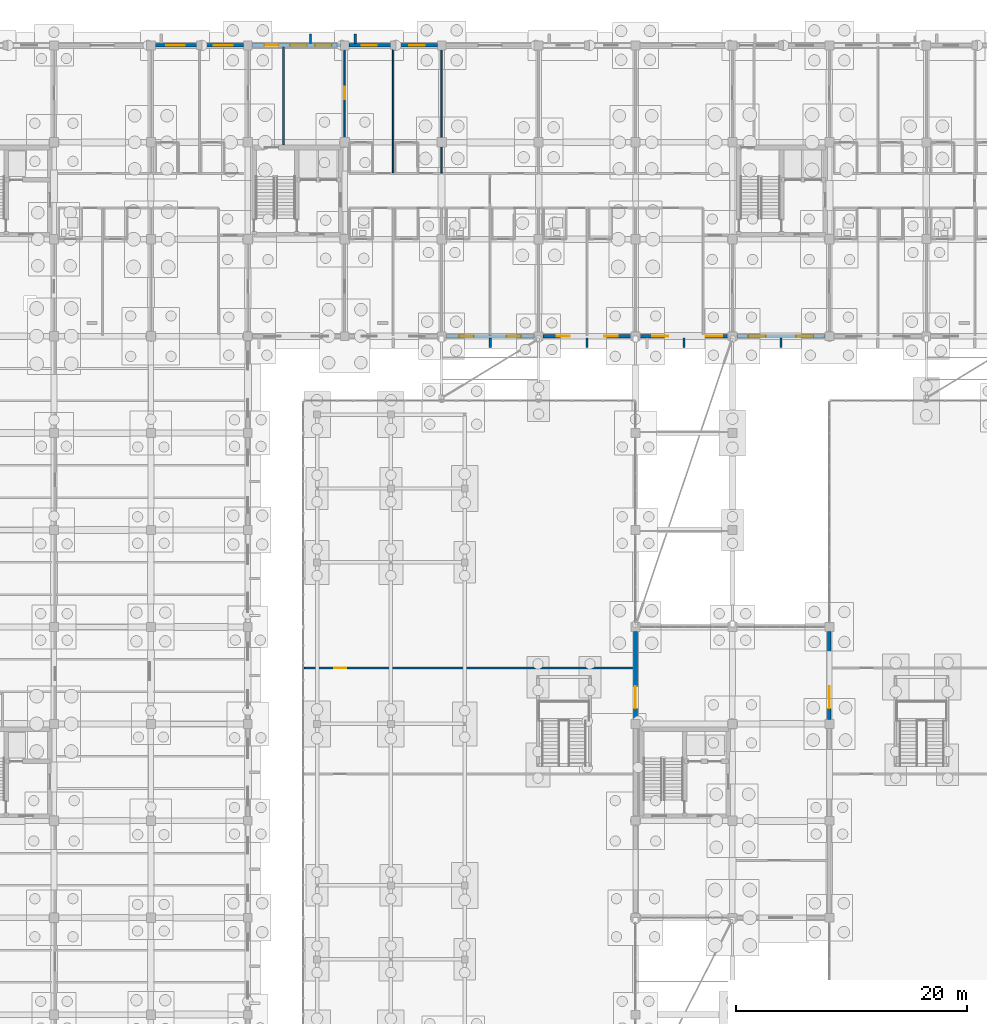
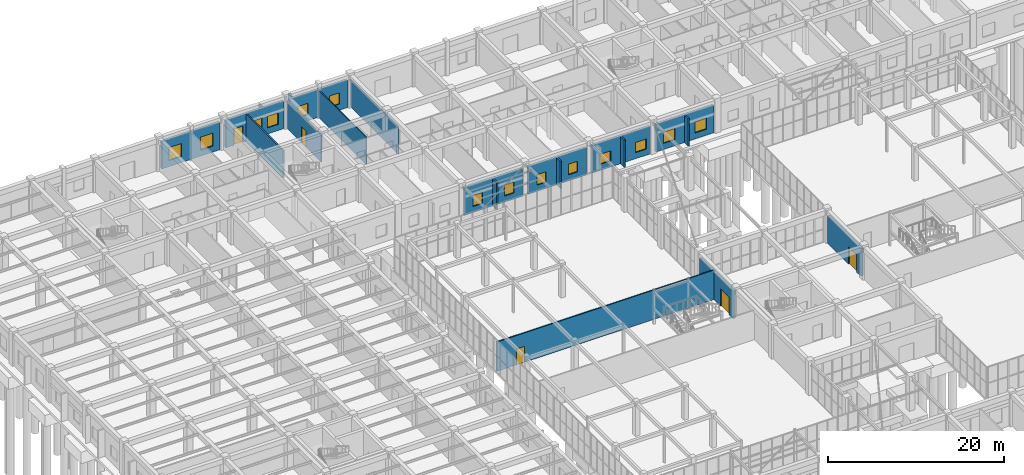
# One storey, part 164 of 192: 20 walls, 14 windows, 5 doors, 19 openings.
"""IFC4 building model written with IfcOpenShell, lengths in metres."""

from ifc_helpers import new_model, si_unit, direction, frame, frame_2d, origin, place, context, subcontext, project, spatial, rectangle, extrude, material, layer, layer_set, type_object, element, fill, save


model = new_model("IFC4")

# Units and contexts
model_context = context("Model", 3, precision=1e-05, world=origin(), true_north=direction((0.0, 1.0)))
body_context = subcontext(model_context, "Body", "Model", "MODEL_VIEW")
ifc_project = project(units=[si_unit("LENGTHUNIT", "METRE"), si_unit("AREAUNIT", "SQUARE_METRE"), si_unit("VOLUMEUNIT", "CUBIC_METRE"), si_unit("PLANEANGLEUNIT", "RADIAN"), si_unit("MASSUNIT", "GRAM", prefix="KILO")], contexts=[model_context])

# Site, building, storey
site_placement = place(None, origin())
site = spatial("IfcSite", under=ifc_project, at=site_placement, CompositionType="ELEMENT")
building_placement = place(site_placement, origin())
building = spatial("IfcBuilding", under=site, at=building_placement, Name="Trelvath General Hospital", CompositionType="ELEMENT")
storey_placement = place(building_placement, origin())
storey = spatial("IfcBuildingStorey", under=building, at=storey_placement, Name="L00", CompositionType="ELEMENT", Elevation=0.0)

# Walls
ifc_material_1 = material(Name="Precast concrete C40/50", Category="concrete")
ifc_layer_1 = layer(ifc_material_1, 0.199951171875)
ifc_layer_set_1 = layer_set([ifc_layer_1], Name="Precast concrete C40/50")
wall_type_1 = type_object("IfcWallType", Name="BriseSoleilRib 200", PredefinedType="ELEMENTEDWALL", material=ifc_layer_set_1)
for number, where, z_axis, x_axis, name in (
    (1, (47.425048828125, 117.75, 0.0), (0.0, 0.0, 1.0), (0.0, 1.0, 0.0), "Precast Concrete Brise-Soleil Rib Fin L00-23"),
    (2, (51.310546875, 117.75, 0.0), (0.0, 0.0, 1.0), (0.0, 1.0, 0.0), "Precast Concrete Brise-Soleil Rib Fin L00-27"),
    (3, (63.0, 92.25, 0.0), (0.0, 0.0, 1.0), (0.0, -1.0, 0.0), "Precast Concrete Brise-Soleil Rib Fin L00-29"),
    (4, (71.39990234375, 92.25, 0.0), (0.0, 0.0, 1.0), (0.0, -1.0, 0.0), "Precast Concrete Brise-Soleil Rib Fin L00-32"),
    (5, (79.800048828125, 92.25, 0.0), (0.0, 0.0, 1.0), (0.0, -1.0, 0.0), "Precast Concrete Brise-Soleil Rib Fin L00-35"),
    (6, (88.199951171875, 92.25, 0.0), (0.0, 0.0, 1.0), (0.0, -1.0, 0.0), "Precast Concrete Brise-Soleil Rib Fin L00-38"),
):
    element("IfcWall", number, at=place(storey_placement, frame(where, z_axis=z_axis, x_axis=x_axis)), inside=storey, type_object=wall_type_1, Name=name, PredefinedType="ELEMENTEDWALL", context=body_context, shape_type="SweptSolid", body=[
        extrude(rectangle(XDim=0.85009765625, YDim=0.199951171875, at=frame_2d((0.425048828125, 0.0))), origin(), (0.0, 0.0, 1.0), 3.800048828125),
    ])

# Wall, opening, door
ifc_material_2 = material(Name="Gypsum acoustic steel-stud partition", Category="steel")
ifc_layer_2 = layer(ifc_material_2, 0.14990234375)
ifc_layer_set_2 = layer_set([ifc_layer_2], Name="Gypsum acoustic steel-stud partition")
wall_type_2 = type_object("IfcWallType", Name="ClinicalPartition 150", PredefinedType="PARTITIONING", material=ifc_layer_set_2)
wall_1_placement = place(storey_placement, frame((46.89990234375, 63.64990234375, 0.0), z_axis=(0.0, 0.0, 1.0), x_axis=(1.0, 0.0, 0.0)))
wall_1 = element("IfcWall", 7, at=wall_1_placement, inside=storey, type_object=wall_type_2, Name="Cube Clinic CUBE-W Partition L00-343", PredefinedType="PARTITIONING", context=body_context, shape_type="SweptSolid", body=[
    extrude(rectangle(XDim=28.60009765625, YDim=0.14990234375, at=frame_2d((14.300048828125, 0.0))), origin(), (0.0, 0.0, 1.0), 4.090087890625),
])
opening_1_placement = place(wall_1_placement, frame((2.60009765625, 0.0, 0.0)))
opening_1 = element("IfcOpeningElement", 8, at=opening_1_placement, cuts=wall_1, Name="Opening DC-0-0455", PredefinedType="OPENING", context=body_context, shape_type="SweptSolid", body=[
    extrude(rectangle(XDim=1.050048828125, YDim=2.199951171875, at=frame_2d((0.52490234375, 1.10009765625))), frame((0.0, 0.0849609375, 0.0), z_axis=(0.0, -1.0, 0.0), x_axis=(1.0, 0.0, 0.0)), (0.0, 0.0, 1.0), 0.169921875),
])
ifc_material_3 = material(Name="Acoustic hospital timber leaf", Category="wood")
door_type_1 = type_object("IfcDoorType", Name="Door Consult 1050x2200", OperationType="NOTDEFINED", PredefinedType="DOOR", material=ifc_material_3)
door_1_placement = place(opening_1_placement, origin())
door_1 = element("IfcDoor", 9, at=door_1_placement, inside=storey, type_object=door_type_1, Name="Cube Clinic CUBE-W Door L00-455", OperationType="SINGLE_SWING_RIGHT", OverallHeight=2.199951171875, OverallWidth=1.050048828125, PredefinedType="DOOR", context=body_context, shape_type="SweptSolid", body=[
    extrude(rectangle(XDim=1.050048828125, YDim=2.199951171875, at=frame_2d((0.52490234375, 1.10009765625))), frame((0.0, 0.02490234375, 0.0), z_axis=(0.0, -1.0, 0.0), x_axis=(1.0, 0.0, 0.0)), (0.0, 0.0, 1.0), 0.050048828125),
])
fill(opening_1, door_1)

# Wall, openings, windows
ifc_material_4 = material(Name="Concrete C35/45", Category="concrete")
ifc_layer_3 = layer(ifc_material_4, 0.320068359375)
ifc_layer_set_3 = layer_set([ifc_layer_3], Name="Concrete C35/45")
wall_type_3 = type_object("IfcWallType", Name="ExtThermalWall 320", PredefinedType="SOLIDWALL", material=ifc_layer_set_3)
wall_2_placement = place(storey_placement, frame((33.97509765625, 117.60009765625, 0.0), z_axis=(0.0, 0.0, 1.0), x_axis=(1.0, 0.0, 0.0)))
wall_2 = element("IfcWall", 10, at=wall_2_placement, inside=storey, type_object=wall_type_3, Name="Exterior Concrete Wall L00-32", PredefinedType="SOLIDWALL", context=body_context, shape_type="SweptSolid", body=[
    extrude(rectangle(XDim=7.64990234375, YDim=0.320068359375, at=frame_2d((3.824951171875, 0.0))), origin(), (0.0, 0.0, 1.0), 3.820068359375),
])
opening_2_placement = place(wall_2_placement, frame((0.949462890625, 0.0, 0.85009765625)))
opening_2 = element("IfcOpeningElement", 11, at=opening_2_placement, cuts=wall_2, Name="Opening WN-0-045", PredefinedType="OPENING", context=body_context, shape_type="SweptSolid", body=[
    extrude(rectangle(XDim=1.6201171875, YDim=1.800048828125, at=frame_2d((0.81005859375, 0.89990234375))), frame((0.0, 0.169921875, 0.0), z_axis=(0.0, -1.0, 0.0), x_axis=(1.0, 0.0, 0.0)), (0.0, 0.0, 1.0), 0.340087890625),
])
opening_3_placement = place(wall_2_placement, frame((5.08056640625, 0.0, 0.85009765625)))
opening_3 = element("IfcOpeningElement", 12, at=opening_3_placement, cuts=wall_2, Name="Opening WN-0-046", PredefinedType="OPENING", context=body_context, shape_type="SweptSolid", body=[
    extrude(rectangle(XDim=1.6201171875, YDim=1.800048828125, at=frame_2d((0.81005859375, 0.89990234375))), frame((0.0, 0.169921875, 0.0), z_axis=(0.0, -1.0, 0.0), x_axis=(1.0, 0.0, 0.0)), (0.0, 0.0, 1.0), 0.340087890625),
])
ifc_material_5 = material(Name="Low-E laminated glass", Category="glass")
window_type_1 = type_object("IfcWindowType", Name="Window Rehab 1620x1800", PartitioningType="DOUBLE_PANEL_VERTICAL", PredefinedType="WINDOW", material=ifc_material_5)
window_1_placement = place(opening_2_placement, origin())
window_1 = element("IfcWindow", 13, at=window_1_placement, inside=storey, type_object=window_type_1, Name="Solar Reveal Window L00-45", OverallHeight=1.800048828125, OverallWidth=1.6201171875, PartitioningType="SINGLE_PANEL", PredefinedType="WINDOW", context=body_context, shape_type="SweptSolid", body=[
    extrude(rectangle(XDim=1.6201171875, YDim=1.800048828125, at=frame_2d((0.81005859375, 0.89990234375))), frame((0.0, 0.030029296875, 0.0), z_axis=(0.0, -1.0, 0.0), x_axis=(1.0, 0.0, 0.0)), (0.0, 0.0, 1.0), 0.06005859375),
])
fill(opening_2, window_1)
window_2_placement = place(opening_3_placement, origin())
window_2 = element("IfcWindow", 14, at=window_2_placement, inside=storey, type_object=window_type_1, Name="Solar Reveal Window L00-46", OverallHeight=1.800048828125, OverallWidth=1.6201171875, PartitioningType="SINGLE_PANEL", PredefinedType="WINDOW", context=body_context, shape_type="SweptSolid", body=[
    extrude(rectangle(XDim=1.6201171875, YDim=1.800048828125, at=frame_2d((0.81005859375, 0.89990234375))), frame((0.0, 0.030029296875, 0.0), z_axis=(0.0, -1.0, 0.0), x_axis=(1.0, 0.0, 0.0)), (0.0, 0.0, 1.0), 0.06005859375),
])
fill(opening_3, window_2)

# Wall, openings, door, windows
wall_3_placement = place(storey_placement, frame((42.375, 117.60009765625, 0.0), z_axis=(0.0, 0.0, 1.0), x_axis=(1.0, 0.0, 0.0)))
wall_3 = element("IfcWall", 15, at=wall_3_placement, inside=storey, type_object=wall_type_3, Name="Exterior Concrete Wall L00-36", PredefinedType="SOLIDWALL", context=body_context, shape_type="SweptSolid", body=[
    extrude(rectangle(XDim=7.64990234375, YDim=0.320068359375, at=frame_2d((3.824951171875, 0.0))), origin(), (0.0, 0.0, 1.0), 3.820068359375),
])
opening_4_placement = place(wall_3_placement, frame((1.074951171875, 0.0, 0.0)))
opening_4 = element("IfcOpeningElement", 16, at=opening_4_placement, cuts=wall_3, Name="Opening E-ST1", PredefinedType="OPENING", context=body_context, shape_type="SweptSolid", body=[
    extrude(rectangle(XDim=1.199951171875, YDim=2.25, at=frame_2d((0.60009765625, 1.125))), frame((0.0, 0.169921875, 0.0), z_axis=(0.0, -1.0, 0.0), x_axis=(1.0, 0.0, 0.0)), (0.0, 0.0, 1.0), 0.340087890625),
])
opening_5_placement = place(wall_3_placement, frame((3.300048828125, 0.0, 0.85009765625)))
opening_5 = element("IfcOpeningElement", 17, at=opening_5_placement, cuts=wall_3, Name="Opening WN-0-053", PredefinedType="OPENING", context=body_context, shape_type="SweptSolid", body=[
    extrude(rectangle(XDim=1.43994140625, YDim=1.6201171875, at=frame_2d((0.719970703125, 0.81005859375))), frame((0.0, 0.169921875, 0.0), z_axis=(0.0, -1.0, 0.0), x_axis=(1.0, 0.0, 0.0)), (0.0, 0.0, 1.0), 0.340087890625),
])
opening_6_placement = place(wall_3_placement, frame((5.449951171875, 0.0, 0.85009765625)))
opening_6 = element("IfcOpeningElement", 18, at=opening_6_placement, cuts=wall_3, Name="Opening WN-0-054", PredefinedType="OPENING", context=body_context, shape_type="SweptSolid", body=[
    extrude(rectangle(XDim=1.43994140625, YDim=1.6201171875, at=frame_2d((0.719970703125, 0.81005859375))), frame((0.0, 0.169921875, 0.0), z_axis=(0.0, -1.0, 0.0), x_axis=(1.0, 0.0, 0.0)), (0.0, 0.0, 1.0), 0.340087890625),
])
ifc_material_6 = material(Name="Thermally broken glazed aluminium door", Category="aluminium")
door_type_2 = type_object("IfcDoorType", Name="Door Terrace 1200x2250", OperationType="NOTDEFINED", PredefinedType="DOOR", material=ifc_material_6)
door_2_placement = place(opening_4_placement, origin())
door_2 = element("IfcDoor", 19, at=door_2_placement, inside=storey, type_object=door_type_2, Name="Pedestrian Final Exit Discharge Door E-ST1", OperationType="SINGLE_SWING_LEFT", OverallHeight=2.25, OverallWidth=1.199951171875, PredefinedType="DOOR", context=body_context, shape_type="SweptSolid", body=[
    extrude(rectangle(XDim=1.199951171875, YDim=2.25, at=frame_2d((0.60009765625, 1.125))), frame((0.0, 0.02490234375, 0.0), z_axis=(0.0, -1.0, 0.0), x_axis=(1.0, 0.0, 0.0)), (0.0, 0.0, 1.0), 0.050048828125),
])
fill(opening_4, door_2)
ifc_material_7 = material(Name="Low-E laminated glass", Category="glass")
window_type_2 = type_object("IfcWindowType", Name="Window Maternity 1440x1620", PartitioningType="DOUBLE_PANEL_VERTICAL", PredefinedType="WINDOW", material=ifc_material_7)
window_3_placement = place(opening_5_placement, origin())
window_3 = element("IfcWindow", 20, at=window_3_placement, inside=storey, type_object=window_type_2, Name="Solar Reveal Window L00-53", OverallHeight=1.6201171875, OverallWidth=1.43994140625, PartitioningType="SINGLE_PANEL", PredefinedType="WINDOW", context=body_context, shape_type="SweptSolid", body=[
    extrude(rectangle(XDim=1.43994140625, YDim=1.6201171875, at=frame_2d((0.719970703125, 0.81005859375))), frame((0.0, 0.030029296875, 0.0), z_axis=(0.0, -1.0, 0.0), x_axis=(1.0, 0.0, 0.0)), (0.0, 0.0, 1.0), 0.06005859375),
])
fill(opening_5, window_3)
window_4_placement = place(opening_6_placement, origin())
window_4 = element("IfcWindow", 21, at=window_4_placement, inside=storey, type_object=window_type_2, Name="Solar Reveal Window L00-54", OverallHeight=1.6201171875, OverallWidth=1.43994140625, PartitioningType="SINGLE_PANEL", PredefinedType="WINDOW", context=body_context, shape_type="SweptSolid", body=[
    extrude(rectangle(XDim=1.43994140625, YDim=1.6201171875, at=frame_2d((0.719970703125, 0.81005859375))), frame((0.0, 0.030029296875, 0.0), z_axis=(0.0, -1.0, 0.0), x_axis=(1.0, 0.0, 0.0)), (0.0, 0.0, 1.0), 0.06005859375),
])
fill(opening_6, window_4)

# Wall, openings, windows
wall_4_placement = place(storey_placement, frame((50.77490234375, 117.60009765625, 0.0), z_axis=(0.0, 0.0, 1.0), x_axis=(1.0, 0.0, 0.0)))
wall_4 = element("IfcWall", 22, at=wall_4_placement, inside=storey, type_object=wall_type_3, Name="Exterior Concrete Wall L00-40", PredefinedType="SOLIDWALL", context=body_context, shape_type="SweptSolid", body=[
    extrude(rectangle(XDim=7.650146484375, YDim=0.320068359375, at=frame_2d((3.8251953125, 0.0))), origin(), (0.0, 0.0, 1.0), 3.820068359375),
])
opening_7_placement = place(wall_4_placement, frame((1.099609375, 0.0, 0.85009765625)))
opening_7 = element("IfcOpeningElement", 23, at=opening_7_placement, cuts=wall_4, Name="Opening WN-0-061", PredefinedType="OPENING", context=body_context, shape_type="SweptSolid", body=[
    extrude(rectangle(XDim=1.320068359375, YDim=1.580078125, at=frame_2d((0.66015625, 0.7900390625))), frame((0.0, 0.169921875, 0.0), z_axis=(0.0, -1.0, 0.0), x_axis=(1.0, 0.0, 0.0)), (0.0, 0.0, 1.0), 0.340087890625),
])
opening_8_placement = place(wall_4_placement, frame((5.23046875, 0.0, 0.85009765625)))
opening_8 = element("IfcOpeningElement", 24, at=opening_8_placement, cuts=wall_4, Name="Opening WN-0-062", PredefinedType="OPENING", context=body_context, shape_type="SweptSolid", body=[
    extrude(rectangle(XDim=1.320068359375, YDim=1.580078125, at=frame_2d((0.66015625, 0.7900390625))), frame((0.0, 0.169921875, 0.0), z_axis=(0.0, -1.0, 0.0), x_axis=(1.0, 0.0, 0.0)), (0.0, 0.0, 1.0), 0.340087890625),
])
ifc_material_8 = material(Name="Low-E laminated glass", Category="glass")
window_type_3 = type_object("IfcWindowType", Name="Window Pediatrics 1320x1580", PartitioningType="DOUBLE_PANEL_VERTICAL", PredefinedType="WINDOW", material=ifc_material_8)
window_5_placement = place(opening_7_placement, origin())
window_5 = element("IfcWindow", 25, at=window_5_placement, inside=storey, type_object=window_type_3, Name="Solar Reveal Window L00-61", OverallHeight=1.580078125, OverallWidth=1.320068359375, PartitioningType="SINGLE_PANEL", PredefinedType="WINDOW", context=body_context, shape_type="SweptSolid", body=[
    extrude(rectangle(XDim=1.320068359375, YDim=1.580078125, at=frame_2d((0.66015625, 0.7900390625))), frame((0.0, 0.030029296875, 0.0), z_axis=(0.0, -1.0, 0.0), x_axis=(1.0, 0.0, 0.0)), (0.0, 0.0, 1.0), 0.06005859375),
])
fill(opening_7, window_5)
window_6_placement = place(opening_8_placement, origin())
window_6 = element("IfcWindow", 26, at=window_6_placement, inside=storey, type_object=window_type_3, Name="Solar Reveal Window L00-62", OverallHeight=1.580078125, OverallWidth=1.320068359375, PartitioningType="SINGLE_PANEL", PredefinedType="WINDOW", context=body_context, shape_type="SweptSolid", body=[
    extrude(rectangle(XDim=1.320068359375, YDim=1.580078125, at=frame_2d((0.66015625, 0.7900390625))), frame((0.0, 0.030029296875, 0.0), z_axis=(0.0, -1.0, 0.0), x_axis=(1.0, 0.0, 0.0)), (0.0, 0.0, 1.0), 0.06005859375),
])
fill(opening_8, window_6)

wall_5_placement = place(storey_placement, frame((66.824951171875, 92.39990234375, 0.0), z_axis=(0.0, 0.0, 1.0), x_axis=(-1.0, 0.0, 0.0)))
wall_5 = element("IfcWall", 27, at=wall_5_placement, inside=storey, type_object=wall_type_3, Name="Exterior Concrete Wall L00-43", PredefinedType="SOLIDWALL", context=body_context, shape_type="SweptSolid", body=[
    extrude(rectangle(XDim=7.64990234375, YDim=0.320068359375, at=frame_2d((3.824951171875, 0.0))), origin(), (0.0, 0.0, 1.0), 3.820068359375),
])
opening_9_placement = place(wall_5_placement, frame((1.12939453125, 0.0, 0.85009765625)))
opening_9 = element("IfcOpeningElement", 28, at=opening_9_placement, cuts=wall_5, Name="Opening WN-0-065", PredefinedType="OPENING", context=body_context, shape_type="SweptSolid", body=[
    extrude(rectangle(XDim=1.260009765625, YDim=1.52001953125, at=frame_2d((0.6298828125, 0.760009765625))), frame((0.0, 0.169921875, 0.0), z_axis=(0.0, -1.0, 0.0), x_axis=(1.0, 0.0, 0.0)), (0.0, 0.0, 1.0), 0.340087890625),
])
opening_10_placement = place(wall_5_placement, frame((5.260498046875, 0.0, 0.85009765625)))
opening_10 = element("IfcOpeningElement", 29, at=opening_10_placement, cuts=wall_5, Name="Opening WN-0-066", PredefinedType="OPENING", context=body_context, shape_type="SweptSolid", body=[
    extrude(rectangle(XDim=1.260009765625, YDim=1.52001953125, at=frame_2d((0.6298828125, 0.760009765625))), frame((0.0, 0.169921875, 0.0), z_axis=(0.0, -1.0, 0.0), x_axis=(1.0, 0.0, 0.0)), (0.0, 0.0, 1.0), 0.340087890625),
])
ifc_material_9 = material(Name="Low-E laminated glass", Category="glass")
window_type_4 = type_object("IfcWindowType", Name="Window Oncology 1260x1520", PartitioningType="SINGLE_PANEL", PredefinedType="WINDOW", material=ifc_material_9)
window_7_placement = place(opening_9_placement, origin())
window_7 = element("IfcWindow", 30, at=window_7_placement, inside=storey, type_object=window_type_4, Name="Solar Reveal Window L00-65", OverallHeight=1.52001953125, OverallWidth=1.260009765625, PartitioningType="SINGLE_PANEL", PredefinedType="WINDOW", context=body_context, shape_type="SweptSolid", body=[
    extrude(rectangle(XDim=1.260009765625, YDim=1.52001953125, at=frame_2d((0.6298828125, 0.760009765625))), frame((0.0, 0.030029296875, 0.0), z_axis=(0.0, -1.0, 0.0), x_axis=(1.0, 0.0, 0.0)), (0.0, 0.0, 1.0), 0.06005859375),
])
fill(opening_9, window_7)
window_8_placement = place(opening_10_placement, origin())
window_8 = element("IfcWindow", 31, at=window_8_placement, inside=storey, type_object=window_type_4, Name="Solar Reveal Window L00-66", OverallHeight=1.52001953125, OverallWidth=1.260009765625, PartitioningType="SINGLE_PANEL", PredefinedType="WINDOW", context=body_context, shape_type="SweptSolid", body=[
    extrude(rectangle(XDim=1.260009765625, YDim=1.52001953125, at=frame_2d((0.6298828125, 0.760009765625))), frame((0.0, 0.030029296875, 0.0), z_axis=(0.0, -1.0, 0.0), x_axis=(1.0, 0.0, 0.0)), (0.0, 0.0, 1.0), 0.06005859375),
])
fill(opening_10, window_8)

wall_6_placement = place(storey_placement, frame((75.22509765625, 92.39990234375, 0.0), z_axis=(0.0, 0.0, 1.0), x_axis=(-1.0, 0.0, 0.0)))
wall_6 = element("IfcWall", 32, at=wall_6_placement, inside=storey, type_object=wall_type_3, Name="Exterior Concrete Wall L00-47", PredefinedType="SOLIDWALL", context=body_context, shape_type="SweptSolid", body=[
    extrude(rectangle(XDim=7.650146484375, YDim=0.320068359375, at=frame_2d((3.8251953125, 0.0))), origin(), (0.0, 0.0, 1.0), 3.820068359375),
])
opening_11_placement = place(wall_6_placement, frame((1.179443359375, 0.0, 0.85009765625)))
opening_11 = element("IfcOpeningElement", 33, at=opening_11_placement, cuts=wall_6, Name="Opening WN-0-071", PredefinedType="OPENING", context=body_context, shape_type="SweptSolid", body=[
    extrude(rectangle(XDim=1.159912109375, YDim=1.47998046875, at=frame_2d((0.580078125, 0.739990234375))), frame((0.0, 0.169921875, 0.0), z_axis=(0.0, -1.0, 0.0), x_axis=(1.0, 0.0, 0.0)), (0.0, 0.0, 1.0), 0.340087890625),
])
opening_12_placement = place(wall_6_placement, frame((5.310546875, 0.0, 0.85009765625)))
opening_12 = element("IfcOpeningElement", 34, at=opening_12_placement, cuts=wall_6, Name="Opening WN-0-072", PredefinedType="OPENING", context=body_context, shape_type="SweptSolid", body=[
    extrude(rectangle(XDim=1.159912109375, YDim=1.47998046875, at=frame_2d((0.580078125, 0.739990234375))), frame((0.0, 0.169921875, 0.0), z_axis=(0.0, -1.0, 0.0), x_axis=(1.0, 0.0, 0.0)), (0.0, 0.0, 1.0), 0.340087890625),
])
ifc_material_10 = material(Name="Low-E laminated glass", Category="glass")
window_type_5 = type_object("IfcWindowType", Name="Window Cardiology 1160x1480", PartitioningType="SINGLE_PANEL", PredefinedType="WINDOW", material=ifc_material_10)
window_9_placement = place(opening_11_placement, origin())
window_9 = element("IfcWindow", 35, at=window_9_placement, inside=storey, type_object=window_type_5, Name="Solar Reveal Window L00-71", OverallHeight=1.47998046875, OverallWidth=1.159912109375, PartitioningType="SINGLE_PANEL", PredefinedType="WINDOW", context=body_context, shape_type="SweptSolid", body=[
    extrude(rectangle(XDim=1.159912109375, YDim=1.47998046875, at=frame_2d((0.580078125, 0.739990234375))), frame((0.0, 0.030029296875, 0.0), z_axis=(0.0, -1.0, 0.0), x_axis=(1.0, 0.0, 0.0)), (0.0, 0.0, 1.0), 0.06005859375),
])
fill(opening_11, window_9)
window_10_placement = place(opening_12_placement, origin())
window_10 = element("IfcWindow", 36, at=window_10_placement, inside=storey, type_object=window_type_5, Name="Solar Reveal Window L00-72", OverallHeight=1.47998046875, OverallWidth=1.159912109375, PartitioningType="SINGLE_PANEL", PredefinedType="WINDOW", context=body_context, shape_type="SweptSolid", body=[
    extrude(rectangle(XDim=1.159912109375, YDim=1.47998046875, at=frame_2d((0.580078125, 0.739990234375))), frame((0.0, 0.030029296875, 0.0), z_axis=(0.0, -1.0, 0.0), x_axis=(1.0, 0.0, 0.0)), (0.0, 0.0, 1.0), 0.06005859375),
])
fill(opening_12, window_10)

# Wall, opening, door
wall_7_placement = place(storey_placement, frame((75.60009765625, 59.175048828125, 0.0), z_axis=(0.0, 0.0, 1.0), x_axis=(0.0, 1.0, 0.0)))
wall_7 = element("IfcWall", 37, at=wall_7_placement, inside=storey, type_object=wall_type_3, Name="Exterior Concrete Wall L00-53", PredefinedType="SOLIDWALL", context=body_context, shape_type="SweptSolid", body=[
    extrude(rectangle(XDim=7.64990234375, YDim=0.320068359375, at=frame_2d((3.824951171875, 0.0))), origin(), (0.0, 0.0, 1.0), 3.820068359375),
])
opening_13_placement = place(wall_7_placement, frame((0.97509765625, 0.0, 0.0)))
opening_13 = element("IfcOpeningElement", 38, at=opening_13_placement, cuts=wall_7, Name="Opening CP-0-012", PredefinedType="OPENING", context=body_context, shape_type="SweptSolid", body=[
    extrude(rectangle(XDim=1.89990234375, YDim=2.39990234375, at=frame_2d((0.949951171875, 1.199951171875))), frame((0.0, 0.169921875, 0.0), z_axis=(0.0, -1.0, 0.0), x_axis=(1.0, 0.0, 0.0)), (0.0, 0.0, 1.0), 0.340087890625),
])
ifc_material_11 = material(Name="Thermally broken glazed aluminium pair", Category="aluminium")
door_type_3 = type_object("IfcDoorType", Name="Door BridgeEntry 1900x2400", OperationType="DOUBLE_SWING_LEFT", PredefinedType="DOOR", material=ifc_material_11)
door_3_placement = place(opening_13_placement, origin())
door_3 = element("IfcDoor", 39, at=door_3_placement, inside=storey, type_object=door_type_3, Name="Crystal Cube Concourse Portal Door L00-12", OperationType="DOUBLE_SWING_LEFT", OverallHeight=2.39990234375, OverallWidth=1.89990234375, PredefinedType="DOOR", context=body_context, shape_type="SweptSolid", body=[
    extrude(rectangle(XDim=1.89990234375, YDim=2.39990234375, at=frame_2d((0.949951171875, 1.199951171875))), frame((0.0, 0.02490234375, 0.0), z_axis=(0.0, -1.0, 0.0), x_axis=(1.0, 0.0, 0.0)), (0.0, 0.0, 1.0), 0.050048828125),
])
fill(opening_13, door_3)

# Wall, openings, windows
wall_8_placement = place(storey_placement, frame((83.625, 92.39990234375, 0.0), z_axis=(0.0, 0.0, 1.0), x_axis=(-1.0, 0.0, 0.0)))
wall_8 = element("IfcWall", 40, at=wall_8_placement, inside=storey, type_object=wall_type_3, Name="Exterior Concrete Wall L00-54", PredefinedType="SOLIDWALL", context=body_context, shape_type="SweptSolid", body=[
    extrude(rectangle(XDim=7.64990234375, YDim=0.320068359375, at=frame_2d((3.824951171875, 0.0))), origin(), (0.0, 0.0, 1.0), 3.820068359375),
])
opening_14_placement = place(wall_8_placement, frame((0.52001953125, 0.0, 0.85009765625)))
opening_14 = element("IfcOpeningElement", 41, at=opening_14_placement, cuts=wall_8, Name="Opening WN-0-077", PredefinedType="OPENING", context=body_context, shape_type="SweptSolid", body=[
    extrude(rectangle(XDim=1.39990234375, YDim=1.39990234375, at=frame_2d((0.699951171875, 0.699951171875))), frame((0.0, 0.169921875, 0.0), z_axis=(0.0, -1.0, 0.0), x_axis=(1.0, 0.0, 0.0)), (0.0, 0.0, 1.0), 0.340087890625),
])
opening_15_placement = place(wall_8_placement, frame((5.1904296875, 0.0, 0.85009765625)))
opening_15 = element("IfcOpeningElement", 42, at=opening_15_placement, cuts=wall_8, Name="Opening WN-0-078", PredefinedType="OPENING", context=body_context, shape_type="SweptSolid", body=[
    extrude(rectangle(XDim=1.39990234375, YDim=1.39990234375, at=frame_2d((0.699951171875, 0.699951171875))), frame((0.0, 0.169921875, 0.0), z_axis=(0.0, -1.0, 0.0), x_axis=(1.0, 0.0, 0.0)), (0.0, 0.0, 1.0), 0.340087890625),
])
ifc_material_12 = material(Name="Low-E laminated glass", Category="glass")
window_type_6 = type_object("IfcWindowType", Name="Window Surgical 1400x1400", PartitioningType="DOUBLE_PANEL_VERTICAL", PredefinedType="WINDOW", material=ifc_material_12)
window_11_placement = place(opening_14_placement, origin())
window_11 = element("IfcWindow", 43, at=window_11_placement, inside=storey, type_object=window_type_6, Name="Solar Reveal Window L00-77", OverallHeight=1.39990234375, OverallWidth=1.39990234375, PartitioningType="SINGLE_PANEL", PredefinedType="WINDOW", context=body_context, shape_type="SweptSolid", body=[
    extrude(rectangle(XDim=1.39990234375, YDim=1.39990234375, at=frame_2d((0.699951171875, 0.699951171875))), frame((0.0, 0.030029296875, 0.0), z_axis=(0.0, -1.0, 0.0), x_axis=(1.0, 0.0, 0.0)), (0.0, 0.0, 1.0), 0.06005859375),
])
fill(opening_14, window_11)
window_12_placement = place(opening_15_placement, origin())
window_12 = element("IfcWindow", 44, at=window_12_placement, inside=storey, type_object=window_type_6, Name="Solar Reveal Window L00-78", OverallHeight=1.39990234375, OverallWidth=1.39990234375, PartitioningType="SINGLE_PANEL", PredefinedType="WINDOW", context=body_context, shape_type="SweptSolid", body=[
    extrude(rectangle(XDim=1.39990234375, YDim=1.39990234375, at=frame_2d((0.699951171875, 0.699951171875))), frame((0.0, 0.030029296875, 0.0), z_axis=(0.0, -1.0, 0.0), x_axis=(1.0, 0.0, 0.0)), (0.0, 0.0, 1.0), 0.06005859375),
])
fill(opening_15, window_12)

# Wall, opening, door
wall_9_placement = place(storey_placement, frame((92.39990234375, 66.824951171875, 0.0), z_axis=(0.0, 0.0, 1.0), x_axis=(0.0, -1.0, 0.0)))
wall_9 = element("IfcWall", 45, at=wall_9_placement, inside=storey, type_object=wall_type_3, Name="Exterior Concrete Wall L00-61", PredefinedType="SOLIDWALL", context=body_context, shape_type="SweptSolid", body=[
    extrude(rectangle(XDim=7.64990234375, YDim=0.320068359375, at=frame_2d((3.824951171875, 0.0))), origin(), (0.0, 0.0, 1.0), 3.820068359375),
])
opening_16_placement = place(wall_9_placement, frame((4.77490234375, 0.0, 0.0)))
opening_16 = element("IfcOpeningElement", 46, at=opening_16_placement, cuts=wall_9, Name="Opening CP-0-015", PredefinedType="OPENING", context=body_context, shape_type="SweptSolid", body=[
    extrude(rectangle(XDim=1.89990234375, YDim=2.39990234375, at=frame_2d((0.949951171875, 1.199951171875))), frame((0.0, 0.169921875, 0.0), z_axis=(0.0, -1.0, 0.0), x_axis=(1.0, 0.0, 0.0)), (0.0, 0.0, 1.0), 0.340087890625),
])
door_4_placement = place(opening_16_placement, origin())
door_4 = element("IfcDoor", 47, at=door_4_placement, inside=storey, type_object=door_type_3, Name="Crystal Cube Concourse Portal Door L00-15", OperationType="DOUBLE_SWING_LEFT", OverallHeight=2.39990234375, OverallWidth=1.89990234375, PredefinedType="DOOR", context=body_context, shape_type="SweptSolid", body=[
    extrude(rectangle(XDim=1.89990234375, YDim=2.39990234375, at=frame_2d((0.949951171875, 1.199951171875))), frame((0.0, 0.02490234375, 0.0), z_axis=(0.0, -1.0, 0.0), x_axis=(1.0, 0.0, 0.0)), (0.0, 0.0, 1.0), 0.050048828125),
])
fill(opening_16, door_4)

# Wall, openings, windows
wall_10_placement = place(storey_placement, frame((92.02490234375, 92.39990234375, 0.0), z_axis=(0.0, 0.0, 1.0), x_axis=(-1.0, 0.0, 0.0)))
wall_10 = element("IfcWall", 48, at=wall_10_placement, inside=storey, type_object=wall_type_3, Name="Exterior Concrete Wall L00-62", PredefinedType="SOLIDWALL", context=body_context, shape_type="SweptSolid", body=[
    extrude(rectangle(XDim=7.64990234375, YDim=0.320068359375, at=frame_2d((3.824951171875, 0.0))), origin(), (0.0, 0.0, 1.0), 3.820068359375),
])
opening_17_placement = place(wall_10_placement, frame((1.009521484375, 0.0, 0.85009765625)))
opening_17 = element("IfcOpeningElement", 49, at=opening_17_placement, cuts=wall_10, Name="Opening WN-0-083", PredefinedType="OPENING", context=body_context, shape_type="SweptSolid", body=[
    extrude(rectangle(XDim=1.5, YDim=1.550048828125, at=frame_2d((0.75, 0.77490234375))), frame((0.0, 0.169921875, 0.0), z_axis=(0.0, -1.0, 0.0), x_axis=(1.0, 0.0, 0.0)), (0.0, 0.0, 1.0), 0.340087890625),
])
opening_18_placement = place(wall_10_placement, frame((5.140380859375, 0.0, 0.85009765625)))
opening_18 = element("IfcOpeningElement", 50, at=opening_18_placement, cuts=wall_10, Name="Opening WN-0-084", PredefinedType="OPENING", context=body_context, shape_type="SweptSolid", body=[
    extrude(rectangle(XDim=1.5, YDim=1.550048828125, at=frame_2d((0.75, 0.77490234375))), frame((0.0, 0.169921875, 0.0), z_axis=(0.0, -1.0, 0.0), x_axis=(1.0, 0.0, 0.0)), (0.0, 0.0, 1.0), 0.340087890625),
])
ifc_material_13 = material(Name="Low-E laminated glass", Category="glass")
window_type_7 = type_object("IfcWindowType", Name="Window Ortho 1500x1550", PartitioningType="DOUBLE_PANEL_VERTICAL", PredefinedType="WINDOW", material=ifc_material_13)
window_13_placement = place(opening_17_placement, origin())
window_13 = element("IfcWindow", 51, at=window_13_placement, inside=storey, type_object=window_type_7, Name="Solar Reveal Window L00-83", OverallHeight=1.550048828125, OverallWidth=1.5, PartitioningType="SINGLE_PANEL", PredefinedType="WINDOW", context=body_context, shape_type="SweptSolid", body=[
    extrude(rectangle(XDim=1.5, YDim=1.550048828125, at=frame_2d((0.75, 0.77490234375))), frame((0.0, 0.030029296875, 0.0), z_axis=(0.0, -1.0, 0.0), x_axis=(1.0, 0.0, 0.0)), (0.0, 0.0, 1.0), 0.06005859375),
])
fill(opening_17, window_13)
window_14_placement = place(opening_18_placement, origin())
window_14 = element("IfcWindow", 52, at=window_14_placement, inside=storey, type_object=window_type_7, Name="Solar Reveal Window L00-84", OverallHeight=1.550048828125, OverallWidth=1.5, PartitioningType="SINGLE_PANEL", PredefinedType="WINDOW", context=body_context, shape_type="SweptSolid", body=[
    extrude(rectangle(XDim=1.5, YDim=1.550048828125, at=frame_2d((0.75, 0.77490234375))), frame((0.0, 0.030029296875, 0.0), z_axis=(0.0, -1.0, 0.0), x_axis=(1.0, 0.0, 0.0)), (0.0, 0.0, 1.0), 0.06005859375),
])
fill(opening_18, window_14)

# Wall
ifc_material_14 = material(Name="Masonry fire blockwork", Category="masonry")
ifc_layer_4 = layer(ifc_material_14, 0.179931640625)
ifc_layer_set_4 = layer_set([ifc_layer_4], Name="Masonry fire blockwork")
wall_type_4 = type_object("IfcWallType", Name="SmokeBarrierWall 180", PredefinedType="PARTITIONING", material=ifc_layer_set_4)
wall_11_placement = place(storey_placement, frame((45.110107421875, 108.9599609375, 0.0), z_axis=(0.0, 0.0, 1.0), x_axis=(0.0, 1.0, 0.0)))
element("IfcWall", 53, at=wall_11_placement, inside=storey, type_object=wall_type_4, Name="Exit Passage Fire Wall ST1 L00", PredefinedType="PARTITIONING", context=body_context, shape_type="SweptSolid", body=[
    extrude(rectangle(XDim=8.5, YDim=0.179931640625, at=frame_2d((4.25, 0.0))), origin(), (0.0, 0.0, 1.0), 3.800048828125),
])

# Wall, opening, door
ifc_material_15 = material(Name="Gypsum acoustic steel-stud partition", Category="steel")
ifc_layer_5 = layer(ifc_material_15, 0.1298828125)
ifc_layer_set_5 = layer_set([ifc_layer_5], Name="Gypsum acoustic steel-stud partition")
wall_type_5 = type_object("IfcWallType", Name="WardPartition 130", PredefinedType="PARTITIONING", material=ifc_layer_set_5)
wall_12_placement = place(storey_placement, frame((50.39990234375, 109.550048828125, 0.0), z_axis=(0.0, 0.0, 1.0), x_axis=(0.0, 1.0, 0.0)))
wall_12 = element("IfcWall", 54, at=wall_12_placement, inside=storey, type_object=wall_type_5, Name="Inter-Bay Ward Partition N L00-198", PredefinedType="PARTITIONING", context=body_context, shape_type="SweptSolid", body=[
    extrude(rectangle(XDim=7.909912109375, YDim=0.1298828125, at=frame_2d((3.955078125, 0.0))), origin(), (0.0, 0.0, 1.0), 3.800048828125),
])
opening_19_placement = place(wall_12_placement, frame((3.39990234375, 0.0, 0.0)))
opening_19 = element("IfcOpeningElement", 55, at=opening_19_placement, cuts=wall_12, Name="Opening D-0-0379", PredefinedType="OPENING", context=body_context, shape_type="SweptSolid", body=[
    extrude(rectangle(XDim=1.050048828125, YDim=2.199951171875, at=frame_2d((0.52490234375, 1.10009765625))), frame((0.0, 0.074951171875, 0.0), z_axis=(0.0, -1.0, 0.0), x_axis=(1.0, 0.0, 0.0)), (0.0, 0.0, 1.0), 0.14990234375),
])
door_5_placement = place(opening_19_placement, origin())
door_5 = element("IfcDoor", 56, at=door_5_placement, inside=storey, type_object=door_type_1, Name="Consultation Connecting Door L00-379", OperationType="SINGLE_SWING_RIGHT", OverallHeight=2.199951171875, OverallWidth=1.050048828125, PredefinedType="DOOR", context=body_context, shape_type="SweptSolid", body=[
    extrude(rectangle(XDim=1.050048828125, YDim=2.199951171875, at=frame_2d((0.52490234375, 1.10009765625))), frame((0.0, 0.02490234375, 0.0), z_axis=(0.0, -1.0, 0.0), x_axis=(1.0, 0.0, 0.0)), (0.0, 0.0, 1.0), 0.050048828125),
])
fill(opening_19, door_5)

# Walls
wall_13_placement = place(storey_placement, frame((54.60009765625, 106.570068359375, 0.0), z_axis=(0.0, 0.0, 1.0), x_axis=(0.0, 1.0, 0.0)))
element("IfcWall", 57, at=wall_13_placement, inside=storey, type_object=wall_type_5, Name="Room Dividing Partition N L00-209", PredefinedType="PARTITIONING", context=body_context, shape_type="SweptSolid", body=[
    extrude(rectangle(XDim=10.929931640625, YDim=0.1298828125, at=frame_2d((5.46484375, 0.0))), origin(), (0.0, 0.0, 1.0), 3.800048828125),
])
wall_14_placement = place(storey_placement, frame((58.800048828125, 106.52001953125, 0.0), z_axis=(0.0, 0.0, 1.0), x_axis=(0.0, 1.0, 0.0)))
element("IfcWall", 58, at=wall_14_placement, inside=storey, type_object=wall_type_5, Name="Inter-Bay Ward Partition N L00-217", PredefinedType="PARTITIONING", context=body_context, shape_type="SweptSolid", body=[
    extrude(rectangle(XDim=10.93994140625, YDim=0.1298828125, at=frame_2d((5.469970703125, 0.0))), origin(), (0.0, 0.0, 1.0), 3.800048828125),
])

save(model, "model.ifc")
